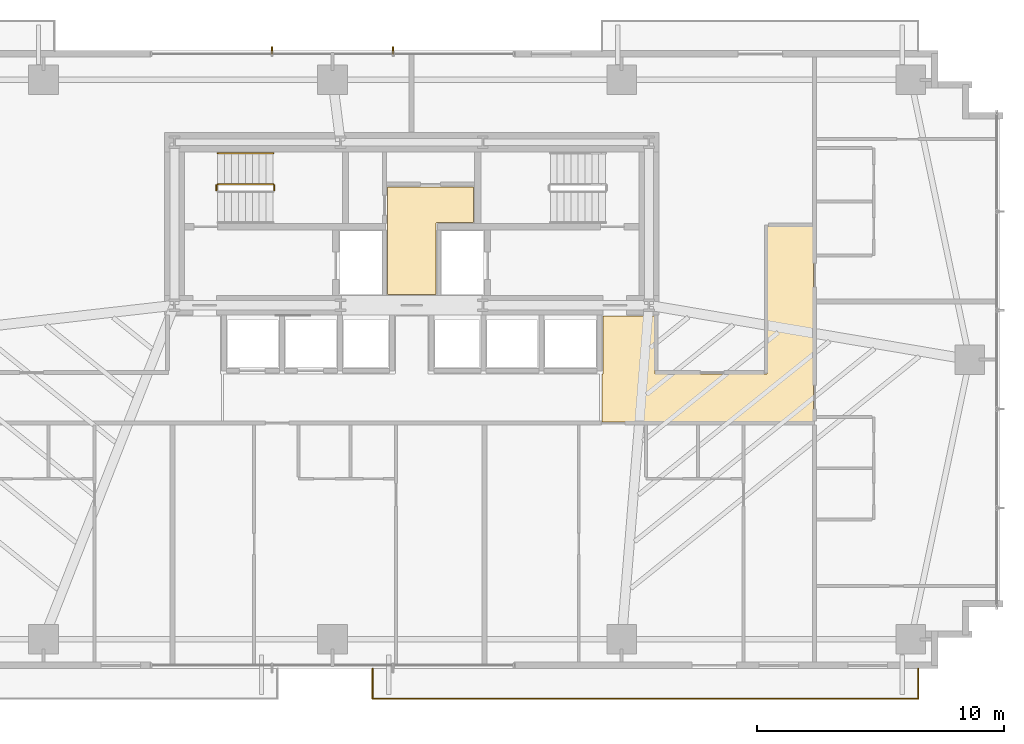
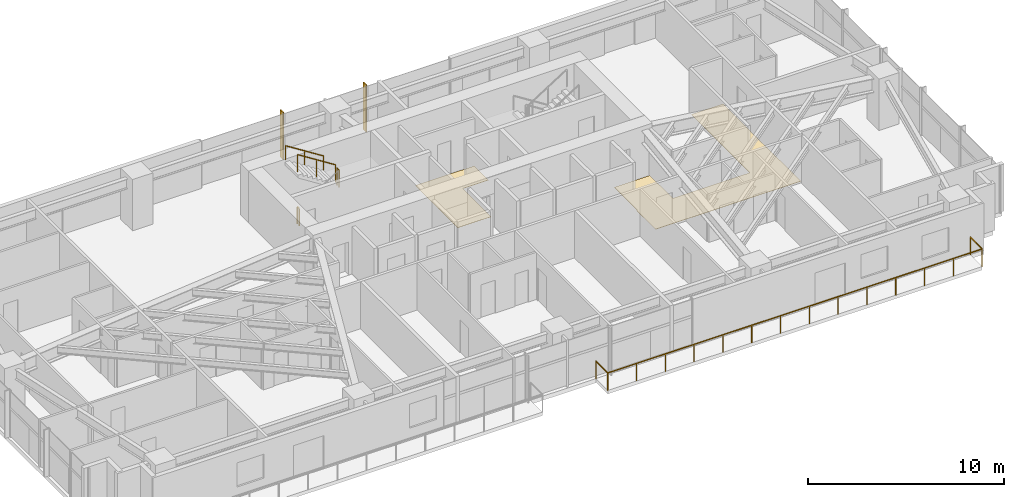
# One storey, part 24 of 25: 5 railings, 2 coverings, 2 shading devices.
"""IFC4 building model written with IfcOpenShell, lengths in metres."""

from ifc_helpers import new_model, si_unit, direction, frame, origin, origin_2d, place, context, subcontext, project, spatial, polyline, rectangle, outline, extrude, source, transform, mapped, material, layer, layer_set, type_object, type_shapes, element, save


model = new_model("IFC4")

# Units and contexts
model_context = context("Model", 3, precision=1e-05, world=origin(), true_north=direction((0.0, 1.0)))
body_context = subcontext(model_context, "Body", "Model", "MODEL_VIEW")
ifc_project = project(units=[si_unit("LENGTHUNIT", "METRE"), si_unit("AREAUNIT", "SQUARE_METRE"), si_unit("VOLUMEUNIT", "CUBIC_METRE"), si_unit("PLANEANGLEUNIT", "RADIAN"), si_unit("MASSUNIT", "GRAM", prefix="KILO")], contexts=[model_context])

# Site, building, storey
site_placement = place(None, origin())
site = spatial("IfcSite", under=ifc_project, at=site_placement, CompositionType="ELEMENT")
building_placement = place(site_placement, origin())
building = spatial("IfcBuilding", under=site, at=building_placement, Name="Astriad Promenade Condominiums", CompositionType="ELEMENT")
storey_placement = place(building_placement, frame((0.0, 0.0, 48.60009765625)))
storey = spatial("IfcBuildingStorey", under=building, at=storey_placement, Name="L13", CompositionType="ELEMENT", Elevation=48.60009765625)

# Coverings
ifc_material_1 = material(Name="Polished Lakefront Terrazzo Flooring")
ifc_layer = layer(ifc_material_1, 0.02001953125)
ifc_layer_set = layer_set([ifc_layer], Name="Polished Lakefront Terrazzo Flooring")
covering_type = type_object("IfcCoveringType", Name="COV-FLOR-TERRAZZO-20", PredefinedType="FLOORING", material=ifc_layer_set)
covering_1_placement = place(storey_placement, origin())
element("IfcCovering", 1, at=covering_1_placement, inside=storey, type_object=covering_type, Name="FLR-L13-CSL", PredefinedType="FLOORING", context=body_context, shape_type="SweptSolid", body=[
    extrude(outline(polyline([(36.97998046875, 20.699951171875), (36.97998046875, 17.840087890625), (35.02001953125, 17.840087890625), (35.02001953125, 22.179931640625), (38.5, 22.179931640625), (38.5, 20.739990234375), (37.02001953125, 20.739990234375), (37.01611328125, 20.73974609375), (37.01220703125, 20.7392578125), (37.00830078125, 20.73828125), (37.004638671875, 20.737060546875), (37.001220703125, 20.7353515625), (36.997802734375, 20.7333984375), (36.99462890625, 20.73095703125), (36.99169921875, 20.728271484375), (36.989013671875, 20.725341796875), (36.98681640625, 20.72216796875), (36.984619140625, 20.718994140625), (36.98291015625, 20.71533203125), (36.981689453125, 20.711669921875), (36.980712890625, 20.707763671875), (36.980224609375, 20.703857421875), (36.97998046875, 20.699951171875)])), origin(), (0.0, 0.0, 1.0), 0.02001953125),
])
covering_2_placement = place(storey_placement, origin())
element("IfcCovering", 2, at=covering_2_placement, inside=storey, type_object=covering_type, Name="FLR-L13-COR-1", PredefinedType="FLOORING", context=body_context, shape_type="SweptSolid", body=[
    extrude(outline(polyline([(43.699951171875, 12.669921875), (43.699951171875, 14.610107421875), (43.703857421875, 14.610107421875), (43.707763671875, 14.61083984375), (43.711669921875, 14.61181640625), (43.71533203125, 14.613037109375), (43.718994140625, 14.61474609375), (43.72216796875, 14.61669921875), (43.725341796875, 14.619140625), (43.728271484375, 14.62158203125), (43.73095703125, 14.62451171875), (43.7333984375, 14.627685546875), (43.7353515625, 14.631103515625), (43.737060546875, 14.634765625), (43.73828125, 14.638427734375), (43.7392578125, 14.64208984375), (43.73974609375, 14.64599609375), (43.739990234375, 14.64990234375), (43.739990234375, 16.9599609375), (45.840087890625, 16.9599609375), (45.840087890625, 14.659912109375), (45.840087890625, 14.656005859375), (45.8408203125, 14.652099609375), (45.841796875, 14.6484375), (45.843017578125, 14.644775390625), (45.8447265625, 14.64111328125), (45.8466796875, 14.6376953125), (45.84912109375, 14.634521484375), (45.851806640625, 14.631591796875), (45.8544921875, 14.629150390625), (45.85791015625, 14.626708984375), (45.861083984375, 14.624755859375), (45.86474609375, 14.623046875), (45.868408203125, 14.62158203125), (45.872314453125, 14.620849609375), (45.876220703125, 14.6201171875), (45.8798828125, 14.6201171875), (50.35009765625, 14.6201171875), (50.35400390625, 14.6201171875), (50.35791015625, 14.620849609375), (50.361572265625, 14.62158203125), (50.365234375, 14.623046875), (50.368896484375, 14.624755859375), (50.372314453125, 14.626708984375), (50.37548828125, 14.629150390625), (50.37841796875, 14.631591796875), (50.380859375, 14.634521484375), (50.38330078125, 14.6376953125), (50.38525390625, 14.64111328125), (50.386962890625, 14.644775390625), (50.38818359375, 14.6484375), (50.38916015625, 14.652099609375), (50.389892578125, 14.656005859375), (50.389892578125, 14.659912109375), (50.389892578125, 20.610107421875), (52.260009765625, 20.610107421875), (52.260009765625, 12.669921875), (43.699951171875, 12.669921875)])), origin(), (0.0, 0.0, 1.0), 0.02001953125),
])

# Shading devices
ifc_material_2 = material(Name="Anodised aluminium 6063-T6 Black Fin", Category="aluminium")
shading_device_type = type_object("IfcShadingDeviceType", Name="FIN-BLACK-320", PredefinedType="USERDEFINED", material=ifc_material_2)
shared_shape_1 = source(origin(), body_context, "Body", "SweptSolid", [
    extrude(rectangle(XDim=0.06494140625, YDim=0.320068359375, at=origin_2d()), origin(), (0.0, 0.0, 1.0), 2.93994140625),
])
type_shapes(shading_device_type, [shared_shape_1])
for number, where, z_axis, x_axis, name in (
    (3, (30.35009765625, 27.7099609375, 0.0), (0.0, 0.0, 1.0), (1.0, 0.0, 0.0), "CW-L13-N-FIN-01"),
    (4, (35.25, 27.7099609375, 0.0), (0.0, 0.0, 1.0), (1.0, 0.0, 0.0), "CW-L13-N-FIN-02"),
):
    element("IfcShadingDevice", number, at=place(storey_placement, frame(where, z_axis=z_axis, x_axis=x_axis)), inside=storey, type_object=shading_device_type, Name=name, ObjectType="FIN", PredefinedType="USERDEFINED", context=body_context, shape_type="MappedRepresentation", body=[
        mapped(shared_shape_1, transform((0.0, 0.0, 0.0), scale=1.0)),
    ])

# Railings
ifc_material_3 = material(Name="Laminated Glass and Stainless Steel Balustrade", Category="steel")
railing_type_1 = type_object("IfcRailingType", Name="GRD-BALC-1120", PredefinedType="BALUSTRADE", material=ifc_material_3)
shared_shape_2 = source(origin(), body_context, "Body", "SweptSolid", [
    extrude(rectangle(XDim=0.048095703125, YDim=0.048095703125, at=origin_2d()), frame((0.0, 0.0, 1.09619140625), z_axis=(0.0, -1.0, 0.0), x_axis=(1.0, 0.0, 0.0)), (0.0, 0.0, 1.0), 1.219970703125),
    extrude(rectangle(XDim=0.048095703125, YDim=0.048095703125, at=origin_2d()), frame((0.0, -1.219970703125, 1.09619140625), z_axis=(1.0, 0.0, 0.0), x_axis=(0.0, 1.0, 0.0)), (0.0, 0.0, 1.0), 22.075927734375),
    extrude(rectangle(XDim=0.048095703125, YDim=0.048095703125, at=origin_2d()), frame((22.075927734375, -1.219970703125, 1.09619140625), z_axis=(0.0, 1.0, 0.0), x_axis=(-1.0, 0.0, 0.0)), (0.0, 0.0, 1.0), 1.219970703125),
    extrude(rectangle(XDim=0.0419921875, YDim=0.0419921875, at=origin_2d()), origin(), (0.0, 0.0, 1.0), 1.072021484375),
    extrude(rectangle(XDim=0.0419921875, YDim=0.0419921875, at=origin_2d()), frame((0.0, -1.219970703125, 0.0)), (0.0, 0.0, 1.0), 1.072021484375),
    extrude(rectangle(XDim=0.0419921875, YDim=0.0419921875, at=origin_2d()), frame((1.6982421875, -1.219970703125, 0.0)), (0.0, 0.0, 1.0), 1.072021484375),
    extrude(rectangle(XDim=0.0419921875, YDim=0.0419921875, at=origin_2d()), frame((3.396240234375, -1.219970703125, 0.0)), (0.0, 0.0, 1.0), 1.072021484375),
    extrude(rectangle(XDim=0.0419921875, YDim=0.0419921875, at=origin_2d()), frame((5.094482421875, -1.219970703125, 0.0)), (0.0, 0.0, 1.0), 1.072021484375),
    extrude(rectangle(XDim=0.0419921875, YDim=0.0419921875, at=origin_2d()), frame((6.79248046875, -1.219970703125, 0.0)), (0.0, 0.0, 1.0), 1.072021484375),
    extrude(rectangle(XDim=0.0419921875, YDim=0.0419921875, at=origin_2d()), frame((8.49072265625, -1.219970703125, 0.0)), (0.0, 0.0, 1.0), 1.072021484375),
    extrude(rectangle(XDim=0.0419921875, YDim=0.0419921875, at=origin_2d()), frame((10.18896484375, -1.219970703125, 0.0)), (0.0, 0.0, 1.0), 1.072021484375),
    extrude(rectangle(XDim=0.0419921875, YDim=0.0419921875, at=origin_2d()), frame((11.886962890625, -1.219970703125, 0.0)), (0.0, 0.0, 1.0), 1.072021484375),
    extrude(rectangle(XDim=0.0419921875, YDim=0.0419921875, at=origin_2d()), frame((13.585205078125, -1.219970703125, 0.0)), (0.0, 0.0, 1.0), 1.072021484375),
    extrude(rectangle(XDim=0.0419921875, YDim=0.0419921875, at=origin_2d()), frame((15.283447265625, -1.219970703125, 0.0)), (0.0, 0.0, 1.0), 1.072021484375),
    extrude(rectangle(XDim=0.0419921875, YDim=0.0419921875, at=origin_2d()), frame((16.9814453125, -1.219970703125, 0.0)), (0.0, 0.0, 1.0), 1.072021484375),
    extrude(rectangle(XDim=0.0419921875, YDim=0.0419921875, at=origin_2d()), frame((18.6796875, -1.219970703125, 0.0)), (0.0, 0.0, 1.0), 1.072021484375),
    extrude(rectangle(XDim=0.0419921875, YDim=0.0419921875, at=origin_2d()), frame((20.377685546875, -1.219970703125, 0.0)), (0.0, 0.0, 1.0), 1.072021484375),
    extrude(rectangle(XDim=0.0419921875, YDim=0.0419921875, at=origin_2d()), frame((22.075927734375, -1.219970703125, 0.0)), (0.0, 0.0, 1.0), 1.072021484375),
    extrude(rectangle(XDim=0.0419921875, YDim=0.0419921875, at=origin_2d()), frame((22.075927734375, 0.0, 0.0)), (0.0, 0.0, 1.0), 1.072021484375),
])
type_shapes(railing_type_1, [shared_shape_2])
railing_1_placement = place(storey_placement, frame((34.41796875, 2.699951171875, 0.0)))
element("IfcRailing", 5, at=railing_1_placement, inside=storey, type_object=railing_type_1, Name="GRD-BALC-L13-SE", PredefinedType="BALUSTRADE", context=body_context, shape_type="MappedRepresentation", body=[
    mapped(shared_shape_2, transform((0.0, 0.0, 0.0), scale=1.0)),
])
ifc_material_4 = material(Name="Painted Galvanised Steel Guardrail", Category="steel")
railing_type_2 = type_object("IfcRailingType", Name="GRD-STAIR-1100", PredefinedType="GUARDRAIL", material=ifc_material_4)
shared_shape_3 = source(origin(), body_context, "Body", "SweptSolid", [
    extrude(rectangle(XDim=0.048095703125, YDim=0.048095703125, at=origin_2d()), frame((0.0, 0.0, 1.076171875), z_axis=(0.0, 1.0, 0.0), x_axis=(-1.0, 0.0, 0.0)), (0.0, 0.0, 1.0), 0.199951171875),
    extrude(rectangle(XDim=0.0419921875, YDim=0.0419921875, at=origin_2d()), origin(), (0.0, 0.0, 1.0), 1.052001953125),
    extrude(rectangle(XDim=0.0419921875, YDim=0.0419921875, at=origin_2d()), frame((0.0, 0.199951171875, 0.0)), (0.0, 0.0, 1.0), 1.052001953125),
])
for number, where, name in (
    (6, (30.43994140625, 22.050048828125, 1.599853515625), "L13 ST-1 stair guard 2"),
    (7, (28.10009765625, 22.050048828125, 0.0), "L13 ST-1 stair guard 4"),
):
    element("IfcRailing", number, at=place(storey_placement, frame(where)), inside=storey, type_object=railing_type_2, Name=name, PredefinedType="GUARDRAIL", context=body_context, shape_type="MappedRepresentation", body=[
        mapped(shared_shape_3, transform((0.0, 0.0, 0.0), scale=1.0)),
    ])
shared_shape_4 = source(origin(), body_context, "Body", "SweptSolid", [
    extrude(rectangle(XDim=0.048095703125, YDim=0.048095703125, at=origin_2d()), frame((0.0, 0.0, 1.076171875), z_axis=(-0.84418770128, 0.0, 0.536047689118), x_axis=(0.0, -1.0, 0.0)), (0.0, 0.0, 1.0), 2.6533203125),
    extrude(rectangle(XDim=0.0419921875, YDim=0.0419921875, at=origin_2d()), origin(), (0.0, 0.0, 1.0), 1.052001953125),
    extrude(rectangle(XDim=0.0419921875, YDim=0.0419921875, at=origin_2d()), frame((-1.1201171875, 0.0, 0.711181640625)), (0.0, 0.0, 1.0), 1.052001953125),
    extrude(rectangle(XDim=0.0419921875, YDim=0.0419921875, at=origin_2d()), frame((-2.239990234375, 0.0, 1.42236328125)), (0.0, 0.0, 1.0), 1.052001953125),
])
type_shapes(railing_type_2, [shared_shape_3, shared_shape_4])
railing_2_placement = place(storey_placement, frame((30.389892578125, 22.300048828125, 1.777587890625)))
element("IfcRailing", 8, at=railing_2_placement, inside=storey, type_object=railing_type_2, Name="L13 ST-1 stair guard 3", PredefinedType="GUARDRAIL", context=body_context, shape_type="MappedRepresentation", body=[
    mapped(shared_shape_4, transform((0.0, 0.0, 0.0), scale=1.0)),
])
ifc_material_5 = material(Name="Brushed Stainless Steel Handrail", Category="steel")
railing_type_3 = type_object("IfcRailingType", Name="HRL-STAIR-920", PredefinedType="HANDRAIL", material=ifc_material_5)
shared_shape_5 = source(origin(), body_context, "Body", "SweptSolid", [
    extrude(rectangle(XDim=0.048095703125, YDim=0.048095703125, at=origin_2d()), frame((0.0, 0.0, 0.8759765625), z_axis=(-0.84418770128, 0.0, 0.536047689118), x_axis=(0.0, -1.0, 0.0)), (0.0, 0.0, 1.0), 2.6533203125),
    extrude(rectangle(XDim=0.0419921875, YDim=0.0419921875, at=origin_2d()), origin(), (0.0, 0.0, 1.0), 0.851806640625),
    extrude(rectangle(XDim=0.0419921875, YDim=0.0419921875, at=origin_2d()), frame((-1.1201171875, 0.0, 0.711181640625)), (0.0, 0.0, 1.0), 0.851806640625),
    extrude(rectangle(XDim=0.0419921875, YDim=0.0419921875, at=origin_2d()), frame((-2.239990234375, 0.0, 1.42236328125)), (0.0, 0.0, 1.0), 0.851806640625),
])
type_shapes(railing_type_3, [shared_shape_5])
railing_3_placement = place(storey_placement, frame((30.389892578125, 23.550048828125, 1.777587890625)))
element("IfcRailing", 9, at=railing_3_placement, inside=storey, type_object=railing_type_3, Name="L13 ST-1 stair handrail 2", PredefinedType="HANDRAIL", context=body_context, shape_type="MappedRepresentation", body=[
    mapped(shared_shape_5, transform((0.0, 0.0, 0.0), scale=1.0)),
])

save(model, "model.ifc")
